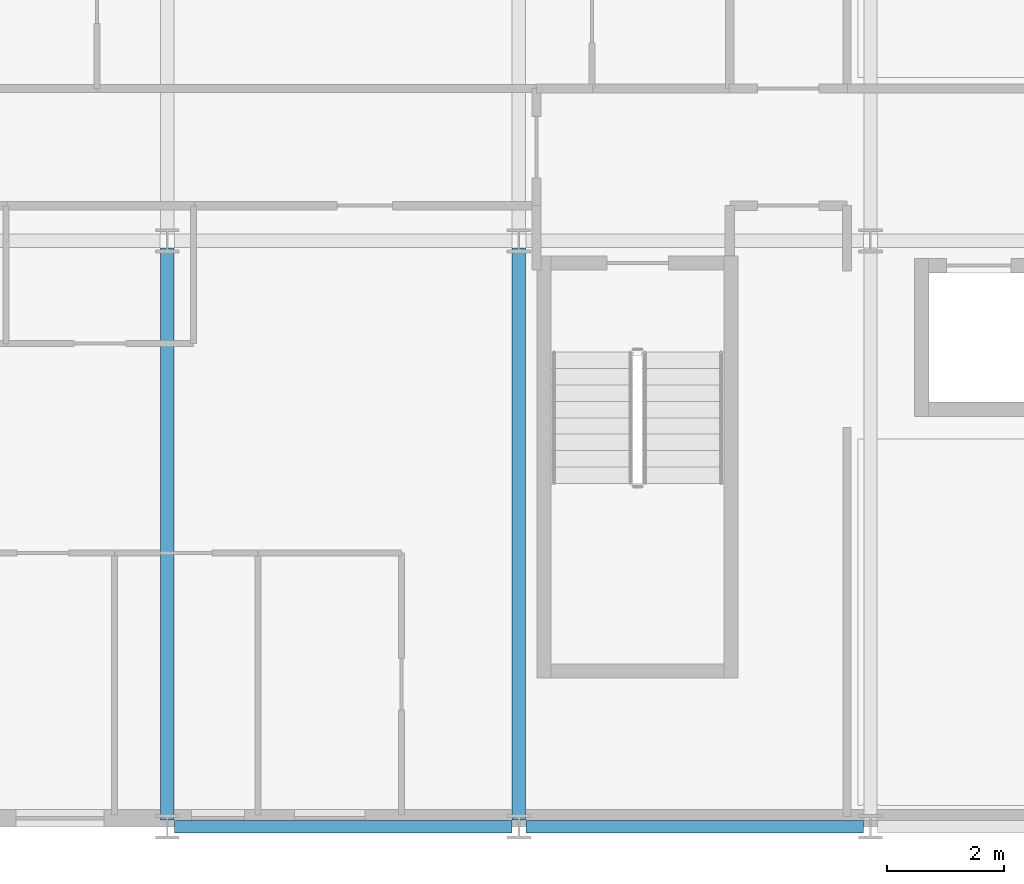
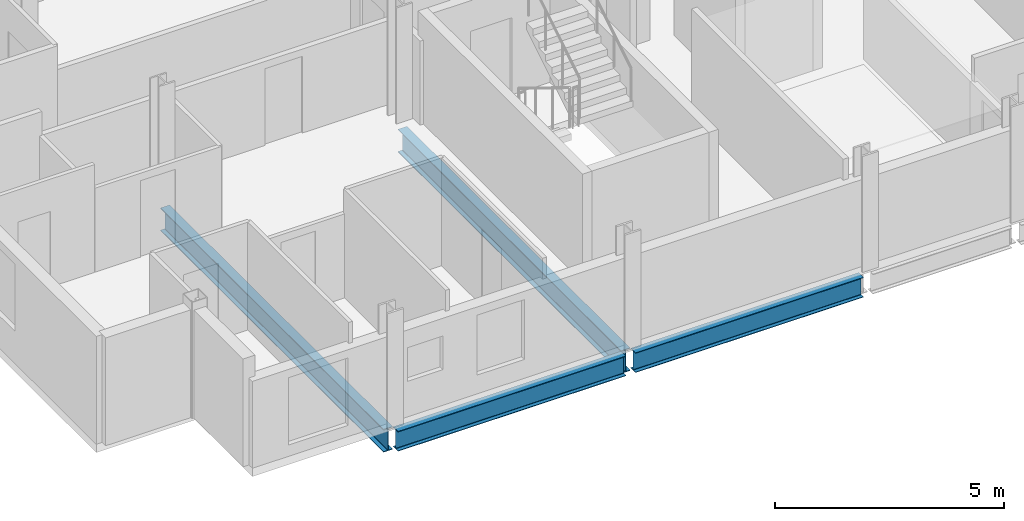
# One storey, part 3 of 40: 4 beams.
"""IFC4 building model written with IfcOpenShell, lengths in metres."""

import ifcopenshell
import ifcopenshell.guid

model = None  # the IFC model being written
_history = None  # IfcOwnerHistory: only IFC2X3 demands one
_inside = {}  # id of a spatial element -> (the spatial element, [elements in it])
_under = {}  # id of a project, library or spatial element -> (it, [spatial elements below it])
_declared = {}  # id of a project -> (the project, [libraries it declares])
_typed = {}  # id of a type object -> (the type object, [elements of that type])
_made_of = {}  # id of a material, layer set ... -> (it, [elements and type objects made of it])


def new_model(schema):
    """Start an empty IFC model of exactly this schema.

    Asked for "IFC4X3", IfcOpenShell would pick the latest addendum, in which some entities
    have other attributes; the version numbers below select the first issue.
    IFC2X3 requires an IfcOwnerHistory on every rooted entity: one is made here for all.
    """
    global model, _history
    if schema == "IFC4X3":
        model = ifcopenshell.file(schema_version=(4, 3, 0, 0))
    else:
        model = ifcopenshell.file(schema=schema)
    _inside.clear()
    _under.clear()
    _declared.clear()
    _typed.clear()
    _made_of.clear()
    _history = None
    if model.schema == "IFC2X3":
        org = make("IfcOrganization", Name="unknown")
        user = make(
            "IfcPersonAndOrganization",
            ThePerson=make("IfcPerson", FamilyName="unknown"),
            TheOrganization=org,
        )
        app = make(
            "IfcApplication",
            ApplicationDeveloper=org,
            Version="unknown",
            ApplicationFullName="unknown",
            ApplicationIdentifier="unknown",
        )
        _history = make(
            "IfcOwnerHistory",
            OwningUser=user,
            OwningApplication=app,
            ChangeAction="ADDED",
            CreationDate=0,
        )
    return model


def make(cls, **values):
    """One entity of the class cls with the attributes given. An attribute that is None is left unset."""
    return model.create_entity(
        cls, **{name: value for name, value in values.items() if value is not None}
    )


def rooted(cls, **values):
    """An entity with a GlobalId (a new one), such as an element, a storey or a relation."""
    return make(cls, GlobalId=ifcopenshell.guid.new(), OwnerHistory=_history, **values)


def si_unit(unit_type, name, prefix=None):
    """IfcSIUnit, for example si_unit("LENGTHUNIT", "METRE", prefix="MILLI")."""
    return make("IfcSIUnit", UnitType=unit_type, Prefix=prefix, Name=name)


def assignment(units):
    """IfcUnitAssignment: the units of a project."""
    return None if units is None else make("IfcUnitAssignment", Units=units)


def point(xyz):
    """IfcCartesianPoint."""
    return None if xyz is None else make("IfcCartesianPoint", Coordinates=xyz)


def direction(xyz):
    """IfcDirection."""
    return None if xyz is None else make("IfcDirection", DirectionRatios=xyz)


def frame(location, z_axis=None, x_axis=None):
    """IfcAxis2Placement3D, a coordinate frame: its origin and axes. An axis left out is left unset."""
    return make(
        "IfcAxis2Placement3D",
        Location=point(location),
        Axis=direction(z_axis),
        RefDirection=direction(x_axis),
    )


def frame_2d(location, x_axis=None):
    """IfcAxis2Placement2D, a coordinate frame in the plane: its origin and x axis."""
    return make(
        "IfcAxis2Placement2D", Location=point(location), RefDirection=direction(x_axis)
    )


def origin():
    """The frame at (0, 0, 0) with its axes left unset."""
    return frame((0.0, 0.0, 0.0))


def origin_2d():
    """The frame at (0, 0) in the plane with its x axis left unset."""
    return frame_2d((0.0, 0.0))


def place(relative_to, where):
    """IfcLocalPlacement: puts the frame where relative to a parent placement (None: the world)."""
    return make(
        "IfcLocalPlacement", PlacementRelTo=relative_to, RelativePlacement=where
    )


def context(
    kind, dimensions, precision=None, world=None, true_north=None, identifier=None
):
    """IfcGeometricRepresentationContext, for example the 3D "Model" context."""
    return make(
        "IfcGeometricRepresentationContext",
        ContextIdentifier=identifier,
        ContextType=kind,
        CoordinateSpaceDimension=dimensions,
        Precision=precision,
        WorldCoordinateSystem=world,
        TrueNorth=true_north,
    )


def subcontext(parent, identifier, kind, view, scale=None):
    """IfcGeometricRepresentationSubContext, for example "Body" below "Model"."""
    return make(
        "IfcGeometricRepresentationSubContext",
        ContextIdentifier=identifier,
        ContextType=kind,
        ParentContext=parent,
        TargetScale=scale,
        TargetView=view,
    )


def project(units=None, contexts=None):
    """IfcProject with its units and contexts."""
    return rooted(
        "IfcProject",
        Name="project",
        RepresentationContexts=contexts,
        UnitsInContext=assignment(units),
    )


def spatial(cls, under=None, at=None, **own):
    """A site, building, storey or space (cls), placed at a placement, below another one or the project."""
    s = rooted(cls, ObjectPlacement=at, **own)
    if under is not None:
        _under.setdefault(under.id(), (under, []))[1].append(s)
    return s


def profile(cls, at=None, kind="AREA", **sizes):
    """A parametric profile (cls). Its sizes go by their IFC names, for example OverallWidth=200.0."""
    return make(cls, ProfileType=kind, Position=at, **sizes)


def i_section(**sizes):
    """IfcIShapeProfileDef."""
    return profile("IfcIShapeProfileDef", **sizes)


def extrude(swept, where, along, depth):
    """IfcExtrudedAreaSolid: the profile swept, set in the frame where, extruded along a direction by depth."""
    return make(
        "IfcExtrudedAreaSolid",
        SweptArea=swept,
        Position=where,
        ExtrudedDirection=direction(along),
        Depth=depth,
    )


def shape(context_of_items, identifier, shape_type, items):
    """IfcShapeRepresentation: the items that make up one representation, for example the "Body"."""
    return make(
        "IfcShapeRepresentation",
        ContextOfItems=context_of_items,
        RepresentationIdentifier=identifier,
        RepresentationType=shape_type,
        Items=items,
    )


def material(Name=None, Category=None):
    """IfcMaterial."""
    return make("IfcMaterial", Name=Name, Category=Category)


def material_profile(
    of_material, cross_section, Name=None, Category=None, Priority=None
):
    """IfcMaterialProfile: a cross section and its material."""
    return make(
        "IfcMaterialProfile",
        Name=Name,
        Material=of_material,
        Profile=cross_section,
        Priority=Priority,
        Category=Category,
    )


def profile_set(profiles, Name=None, composite=None):
    """IfcMaterialProfileSet."""
    return make(
        "IfcMaterialProfileSet",
        Name=Name,
        MaterialProfiles=profiles,
        CompositeProfile=composite,
    )


def made_of(thing, what):
    """Note that an element or type object is made of a material, layer set ...; save() writes the relation."""
    if what is not None:
        _made_of.setdefault(what.id(), (what, []))[1].append(thing)
    return thing


def type_object(cls, material=None, **own):
    """A type object (cls), such as IfcWallType, which elements share."""
    return made_of(rooted(cls, **own), material)


def element(
    cls,
    number,
    at=None,
    inside=None,
    cuts=None,
    type_object=None,
    material=None,
    context=None,
    identifier="Body",
    shape_type=None,
    held_by="IfcProductDefinitionShape",
    body=None,
    shapes=None,
    **own,
):
    """One element of the class cls, such as IfcWall. Its Tag is "e" and its number.

    at: its placement. inside: the storey or other place that contains it. cuts: it is an
    opening in that element (IfcRelVoidsElement). A single representation is given by context,
    identifier, shape_type and body (its items); several are given by shapes. held_by: the class
    of the entity that holds the representations. save() writes the other relations.
    """
    e = rooted(cls, Tag="e%d" % number, ObjectPlacement=at, **own)
    if body is not None:
        shapes = [shape(context, identifier, shape_type, body)]
    if shapes is not None:
        e.Representation = make(held_by, Representations=shapes)
    if inside is not None:
        _inside.setdefault(inside.id(), (inside, []))[1].append(e)
    if cuts is not None:
        rooted(
            "IfcRelVoidsElement", RelatingBuildingElement=cuts, RelatedOpeningElement=e
        )
    if type_object is not None:
        _typed.setdefault(type_object.id(), (type_object, []))[1].append(e)
    return made_of(e, material)


def aggregate(whole, parts):
    """IfcRelAggregates: a whole, such as a stair, and the parts it consists of."""
    return rooted("IfcRelAggregates", RelatingObject=whole, RelatedObjects=parts)


def save(model, path):
    """Write the relations noted so far, then the file.

    IfcRelAggregates (storeys below a building ...), IfcRelContainedInSpatialStructure (elements
    in a storey), IfcRelDefinesByType, IfcRelAssociatesMaterial and IfcRelDeclares: one each for
    every whole, place, type object, material and project.
    """
    for whole, parts in _under.values():
        aggregate(whole, parts)
    for where, things in _inside.values():
        rooted(
            "IfcRelContainedInSpatialStructure",
            RelatedElements=things,
            RelatingStructure=where,
        )
    for kind, things in _typed.values():
        rooted("IfcRelDefinesByType", RelatedObjects=things, RelatingType=kind)
    for what, things in _made_of.values():
        rooted("IfcRelAssociatesMaterial", RelatedObjects=things, RelatingMaterial=what)
    for by, libraries in _declared.values():
        rooted("IfcRelDeclares", RelatingContext=by, RelatedDefinitions=libraries)
    model.write(path)


model = new_model("IFC4")

# Units and contexts
model_context = context("Model", 3, precision=1e-05, world=origin(), true_north=direction((0.0, 1.0)))
body_context = subcontext(model_context, "Body", "Model", "MODEL_VIEW")
ifc_project = project(units=[si_unit("LENGTHUNIT", "METRE"), si_unit("AREAUNIT", "SQUARE_METRE"), si_unit("VOLUMEUNIT", "CUBIC_METRE"), si_unit("PLANEANGLEUNIT", "RADIAN"), si_unit("MASSUNIT", "GRAM", prefix="KILO")], contexts=[model_context])

# Site, building, storey
site_placement = place(None, origin())
site = spatial("IfcSite", under=ifc_project, at=site_placement, CompositionType="ELEMENT")
building_placement = place(site_placement, origin())
building = spatial("IfcBuilding", under=site, at=building_placement, Name="Brevholm Reach", CompositionType="ELEMENT")
storey_placement = place(building_placement, frame((0.0, 0.0, 160.39990234375)))
storey = spatial("IfcBuildingStorey", under=building, at=storey_placement, Name="L48", CompositionType="ELEMENT", Elevation=160.39990234375)

# Beams
ifc_material_1 = material(Name="Structural Steel S355J2", Category="steel")
ifc_material_profile_1 = material_profile(ifc_material_1, i_section(OverallWidth=0.209228515625, OverallDepth=0.533203125, WebThickness=0.010009765625, FlangeThickness=0.015625, FilletRadius=0.0126953125, at=origin_2d()), Name="UKB 533x210x92")
ifc_profile_set_1 = profile_set([ifc_material_profile_1], Name="Structural Steel S355J2")
beam_type_1 = type_object("IfcBeamType", Name="BM-SP533", PredefinedType="SPANDREL", material=ifc_profile_set_1)
for number, where, z_axis, x_axis, name in (
    (1, (6.1201171875, 0.0, -0.486572265625), (1.0, 0.0, 0.0), (0.0, 1.0, 0.0), "L48 SP-02 Framing Beam"),
    (2, (12.1201171875, 0.0, -0.486572265625), (1.0, 0.0, 0.0), (0.0, 1.0, 0.0), "L48 SP-02 Framing Beam"),
):
    element("IfcBeam", number, at=place(storey_placement, frame(where, z_axis=z_axis, x_axis=x_axis)), inside=storey, type_object=beam_type_1, Name=name, PredefinedType="SPANDREL", context=body_context, shape_type="SweptSolid", body=[
        extrude(i_section(OverallWidth=0.209228515625, OverallDepth=0.533203125, WebThickness=0.010009765625, FlangeThickness=0.015625, FilletRadius=0.0126953125, at=origin_2d()), origin(), (0.0, 0.0, 1.0), 5.759765625),
    ])
ifc_material_2 = material(Name="Structural Steel S355J2", Category="steel")
ifc_material_profile_2 = material_profile(ifc_material_2, i_section(OverallWidth=0.22900390625, OverallDepth=0.6123046875, WebThickness=0.011962890625, FlangeThickness=0.01953125, FilletRadius=0.0126953125, at=origin_2d()), Name="UKB 610x229x125")
ifc_profile_set_2 = profile_set([ifc_material_profile_2], Name="Structural Steel S355J2")
beam_type_2 = type_object("IfcBeamType", Name="BM-SP610", PredefinedType="SPANDREL", material=ifc_profile_set_2)
for number, where, z_axis, x_axis, name in (
    (3, (6.0, 0.1201171875, -0.526123046875), (0.0, 1.0, 0.0), (-1.0, 0.0, 0.0), "L48 SP-01 Framing Beam"),
    (4, (12.0, 0.1201171875, -0.526123046875), (0.0, 1.0, 0.0), (-1.0, 0.0, 0.0), "L48 SP-01 Framing Beam"),
):
    element("IfcBeam", number, at=place(storey_placement, frame(where, z_axis=z_axis, x_axis=x_axis)), inside=storey, type_object=beam_type_2, Name=name, PredefinedType="SPANDREL", context=body_context, shape_type="SweptSolid", body=[
        extrude(i_section(OverallWidth=0.22900390625, OverallDepth=0.6123046875, WebThickness=0.011962890625, FlangeThickness=0.01953125, FilletRadius=0.0126953125, at=origin_2d()), origin(), (0.0, 0.0, 1.0), 9.759765625),
    ])

save(model, "model.ifc")
